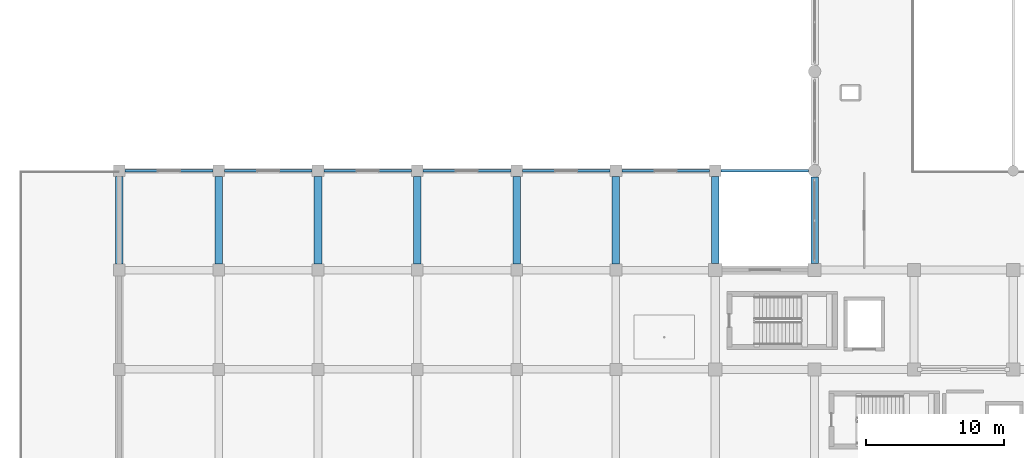
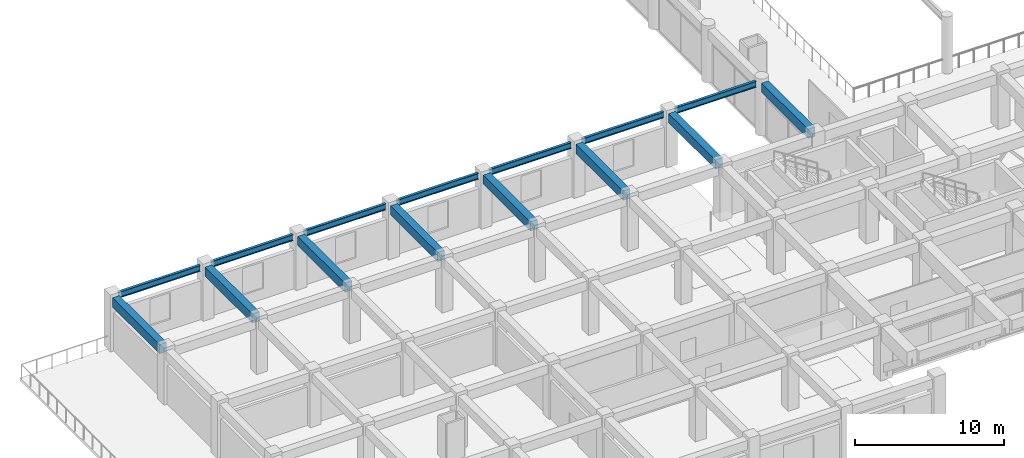
# One storey, part 6 of 54: 15 beams.
"""IFC4 building model written with IfcOpenShell, lengths in metres."""

from ifc_helpers import new_model, si_unit, direction, frame, origin, origin_2d, place, context, subcontext, project, spatial, rectangle, i_section, extrude, material, material_profile, profile_set, type_object, element, save


model = new_model("IFC4")

# Units and contexts
model_context = context("Model", 3, precision=1e-05, world=origin(), true_north=direction((0.0, 1.0)))
body_context = subcontext(model_context, "Body", "Model", "MODEL_VIEW")
ifc_project = project(units=[si_unit("LENGTHUNIT", "METRE"), si_unit("AREAUNIT", "SQUARE_METRE"), si_unit("VOLUMEUNIT", "CUBIC_METRE"), si_unit("PLANEANGLEUNIT", "RADIAN"), si_unit("MASSUNIT", "GRAM", prefix="KILO")], contexts=[model_context])

# Site, building, storey
site_placement = place(None, origin())
site = spatial("IfcSite", under=ifc_project, at=site_placement, CompositionType="ELEMENT")
building_placement = place(site_placement, origin())
building = spatial("IfcBuilding", under=site, at=building_placement, Name="Kazehaya Institute of Natural Sciences", CompositionType="ELEMENT")
storey_placement = place(building_placement, frame((0.0, 0.0, 10.43994140625)))
storey = spatial("IfcBuildingStorey", under=building, at=storey_placement, Name="L02", CompositionType="ELEMENT", Elevation=10.43994140625)

# Beams
ifc_material_1 = material(Name="Concrete Fc36", Category="concrete")
ifc_material_profile_1 = material_profile(ifc_material_1, rectangle(XDim=0.550048828125, YDim=0.75, at=origin_2d()), Name="RC-550x750")
ifc_profile_set_1 = profile_set([ifc_material_profile_1], Name="Concrete Fc36")
beam_type_1 = type_object("IfcBeamType", Name="BM-G-550x750", PredefinedType="BEAM", material=ifc_profile_set_1)
for number, where, z_axis, x_axis, name in (
    (1, (11.39990234375, 36.02490234375, 4.03515625), (0.0, 1.0, 0.0), (-1.0, 0.0, 0.0), "L02 primary Y girder BMY-L02-114-356"),
    (2, (18.60009765625, 36.02490234375, 4.03515625), (0.0, 1.0, 0.0), (-1.0, 0.0, 0.0), "L02 primary Y girder BMY-L02-186-356"),
    (3, (25.800048828125, 36.02490234375, 4.03515625), (0.0, 1.0, 0.0), (-1.0, 0.0, 0.0), "L02 primary Y girder BMY-L02-258-356"),
    (4, (33.0, 36.02490234375, 4.03515625), (0.0, 1.0, 0.0), (-1.0, 0.0, 0.0), "L02 primary Y girder BMY-L02-330-356"),
    (5, (40.199951171875, 36.02490234375, 4.03515625), (0.0, 1.0, 0.0), (-1.0, 0.0, 0.0), "L02 primary Y girder BMY-L02-402-356"),
    (6, (47.39990234375, 36.02490234375, 4.03515625), (0.0, 1.0, 0.0), (-1.0, 0.0, 0.0), "L02 primary Y girder BMY-L02-474-356"),
):
    element("IfcBeam", number, at=place(storey_placement, frame(where, z_axis=z_axis, x_axis=x_axis)), inside=storey, type_object=beam_type_1, Name=name, PredefinedType="BEAM", context=body_context, shape_type="SweptSolid", body=[
        extrude(rectangle(XDim=0.550048828125, YDim=0.75, at=origin_2d()), origin(), (0.0, 0.0, 1.0), 6.35009765625),
    ])
beam_1_placement = place(storey_placement, frame((54.60009765625, 36.074951171875, 4.03515625), z_axis=(0.0, 1.0, 0.0), x_axis=(-1.0, 0.0, 0.0)))
element("IfcBeam", 7, at=beam_1_placement, inside=storey, type_object=beam_type_1, Name="L02 primary Y girder BMY-L02-546-356", PredefinedType="BEAM", context=body_context, shape_type="SweptSolid", body=[
    extrude(rectangle(XDim=0.550048828125, YDim=0.75, at=origin_2d()), origin(), (0.0, 0.0, 1.0), 6.300048828125),
])
beam_2_placement = place(storey_placement, frame((61.800048828125, 36.074951171875, 4.03515625), z_axis=(0.0, 1.0, 0.0), x_axis=(-1.0, 0.0, 0.0)))
element("IfcBeam", 8, at=beam_2_placement, inside=storey, type_object=beam_type_1, Name="L02 primary Y girder BMY-L02-618-356", PredefinedType="BEAM", context=body_context, shape_type="SweptSolid", body=[
    extrude(rectangle(XDim=0.550048828125, YDim=0.75, at=origin_2d()), origin(), (0.0, 0.0, 1.0), 6.275146484375),
])
ifc_material_2 = material(Name="Structural steel SN490B", Category="steel")
ifc_material_profile_2 = material_profile(ifc_material_2, i_section(OverallWidth=0.199951171875, OverallDepth=0.5, WebThickness=0.010009765625, FlangeThickness=0.01611328125, FilletRadius=0.01611328125, at=origin_2d()), Name="H-500x200x10x16")
ifc_profile_set_2 = profile_set([ifc_material_profile_2], Name="Structural steel SN490B")
beam_type_2 = type_object("IfcBeamType", Name="BM-STL-H500", PredefinedType="BEAM", material=ifc_profile_set_2)
for number, where, z_axis, x_axis, name in (
    (9, (11.824951171875, 42.800048828125, 4.16015625), (1.0, 0.0, 0.0), (0.0, 1.0, 0.0), "L02 primary X girder BMX-L02-114-428"),
    (10, (19.02490234375, 42.800048828125, 4.16015625), (1.0, 0.0, 0.0), (0.0, 1.0, 0.0), "L02 primary X girder BMX-L02-186-428"),
):
    element("IfcBeam", number, at=place(storey_placement, frame(where, z_axis=z_axis, x_axis=x_axis)), inside=storey, type_object=beam_type_2, Name=name, PredefinedType="BEAM", context=body_context, shape_type="SweptSolid", body=[
        extrude(i_section(OverallWidth=0.199951171875, OverallDepth=0.5, WebThickness=0.010009765625, FlangeThickness=0.01611328125, FilletRadius=0.01611328125, at=origin_2d()), origin(), (0.0, 0.0, 1.0), 6.35009765625),
    ])
for number, where, z_axis, x_axis, name in (
    (11, (26.22509765625, 42.800048828125, 4.16015625), (1.0, 0.0, 0.0), (0.0, 1.0, 0.0), "L02 primary X girder BMX-L02-258-428"),
    (12, (33.425048828125, 42.800048828125, 4.16015625), (1.0, 0.0, 0.0), (0.0, 1.0, 0.0), "L02 primary X girder BMX-L02-330-428"),
):
    element("IfcBeam", number, at=place(storey_placement, frame(where, z_axis=z_axis, x_axis=x_axis)), inside=storey, type_object=beam_type_2, Name=name, PredefinedType="BEAM", context=body_context, shape_type="SweptSolid", body=[
        extrude(i_section(OverallWidth=0.199951171875, OverallDepth=0.5, WebThickness=0.010009765625, FlangeThickness=0.01611328125, FilletRadius=0.01611328125, at=origin_2d()), origin(), (0.0, 0.0, 1.0), 6.349853515625),
    ])
for number, where, z_axis, x_axis, name in (
    (13, (40.625, 42.800048828125, 4.16015625), (1.0, 0.0, 0.0), (0.0, 1.0, 0.0), "L02 primary X girder BMX-L02-402-428"),
    (14, (47.824951171875, 42.800048828125, 4.16015625), (1.0, 0.0, 0.0), (0.0, 1.0, 0.0), "L02 primary X girder BMX-L02-474-428"),
):
    element("IfcBeam", number, at=place(storey_placement, frame(where, z_axis=z_axis, x_axis=x_axis)), inside=storey, type_object=beam_type_2, Name=name, PredefinedType="BEAM", context=body_context, shape_type="SweptSolid", body=[
        extrude(i_section(OverallWidth=0.199951171875, OverallDepth=0.5, WebThickness=0.010009765625, FlangeThickness=0.01611328125, FilletRadius=0.01611328125, at=origin_2d()), origin(), (0.0, 0.0, 1.0), 6.35009765625),
    ])
beam_3_placement = place(storey_placement, frame((55.02490234375, 42.800048828125, 4.16015625), z_axis=(1.0, 0.0, 0.0), x_axis=(0.0, 1.0, 0.0)))
element("IfcBeam", 15, at=beam_3_placement, inside=storey, type_object=beam_type_2, Name="L02 primary X girder BMX-L02-546-428", PredefinedType="BEAM", context=body_context, shape_type="SweptSolid", body=[
    extrude(i_section(OverallWidth=0.199951171875, OverallDepth=0.5, WebThickness=0.010009765625, FlangeThickness=0.01611328125, FilletRadius=0.01611328125, at=origin_2d()), origin(), (0.0, 0.0, 1.0), 6.3251953125),
])

save(model, "model.ifc")
